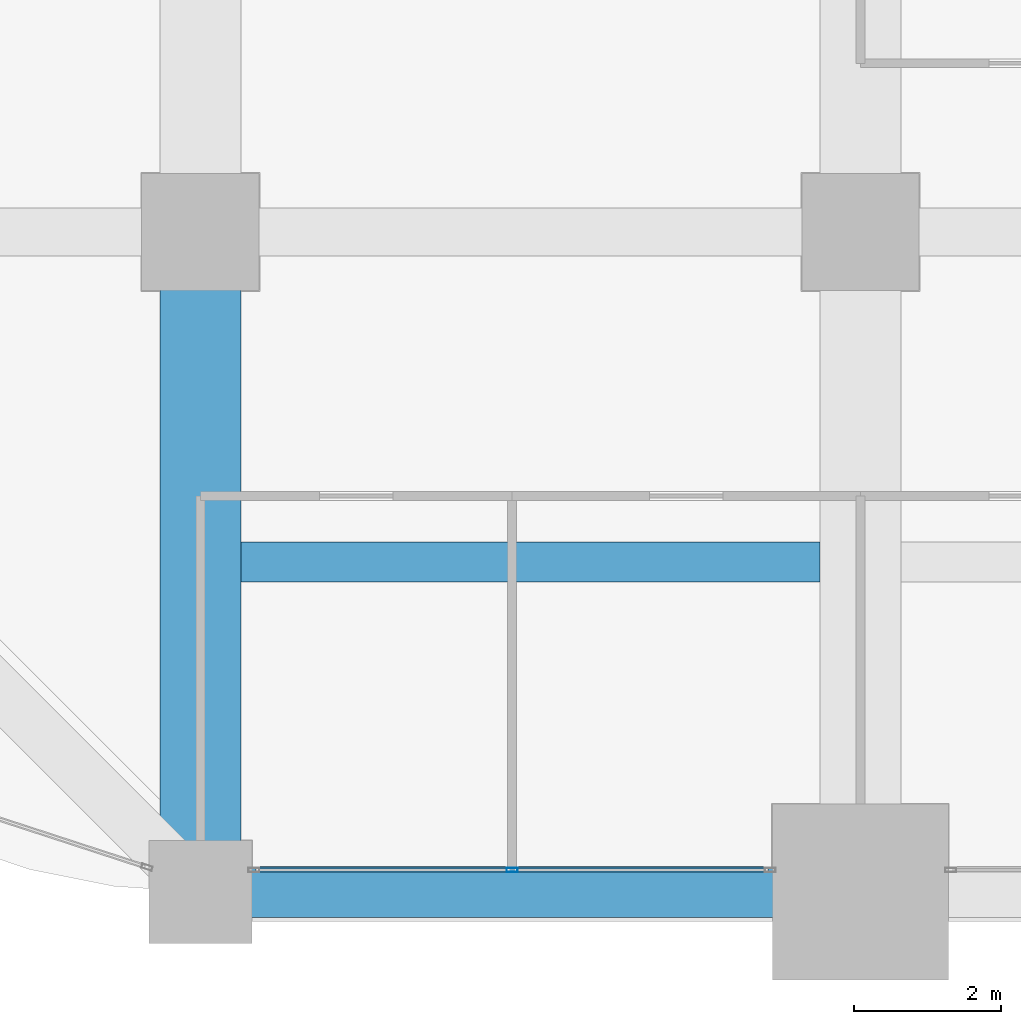
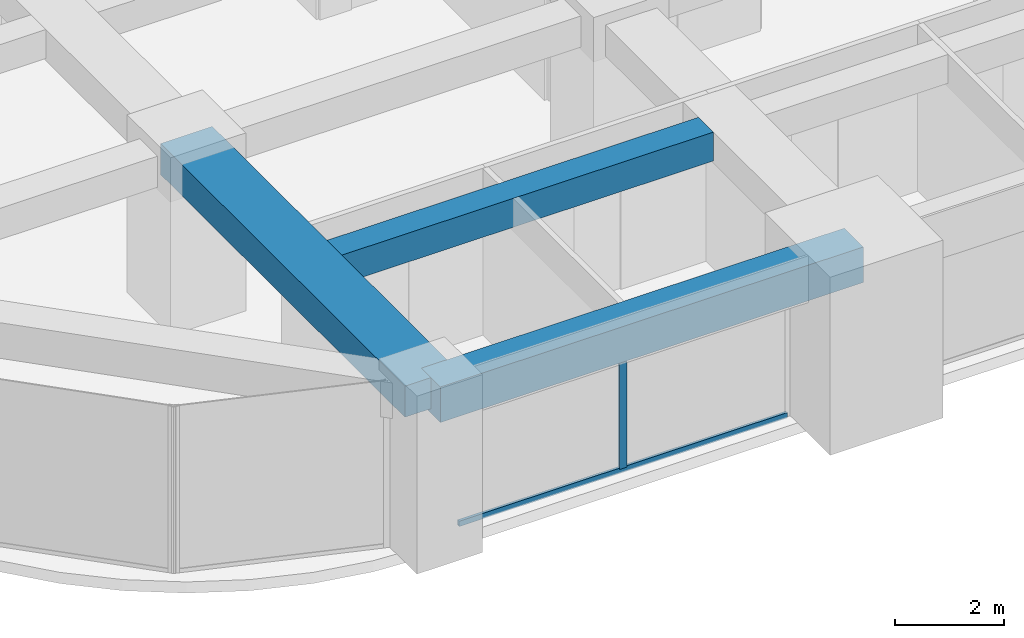
# One storey, part 3 of 33: 3 beams, 2 members, 1 element without a shape of its own.
"""IFC4 building model written with IfcOpenShell, lengths in metres."""

from ifc_helpers import new_model, si_unit, direction, frame, origin, origin_2d, place, context, subcontext, project, spatial, rectangle, hollow_rectangle, extrude, material, material_profile, profile_set, type_object, element, aggregate, save


model = new_model("IFC4")

# Units and contexts
model_context = context("Model", 3, precision=1e-05, world=origin(), true_north=direction((0.0, 1.0)))
body_context = subcontext(model_context, "Body", "Model", "MODEL_VIEW")
ifc_project = project(units=[si_unit("LENGTHUNIT", "METRE"), si_unit("AREAUNIT", "SQUARE_METRE"), si_unit("VOLUMEUNIT", "CUBIC_METRE"), si_unit("PLANEANGLEUNIT", "RADIAN"), si_unit("MASSUNIT", "GRAM", prefix="KILO")], contexts=[model_context])

# Site, building, storey
site_placement = place(None, origin())
site = spatial("IfcSite", under=ifc_project, at=site_placement, CompositionType="ELEMENT")
building_placement = place(site_placement, origin())
building = spatial("IfcBuilding", under=site, at=building_placement, Name="Zorevar Civic Tower", CompositionType="ELEMENT")
storey_placement = place(building_placement, frame((0.0, 0.0, 178.199951171875)))
storey = spatial("IfcBuildingStorey", under=building, at=storey_placement, Name="L43", CompositionType="ELEMENT", Elevation=178.199951171875)

# Beams
ifc_material_1 = material(Name="Concrete C50/60", Category="concrete")
ifc_material_profile_1 = material_profile(ifc_material_1, rectangle(XDim=1.10009765625, YDim=0.699951171875, at=origin_2d()), Name="RC 1100x700")
ifc_profile_set_1 = profile_set([ifc_material_profile_1], Name="Concrete C50/60")
beam_type_1 = type_object("IfcBeamType", Name="Beam RC 1100x700", PredefinedType="BEAM", material=ifc_profile_set_1)
beam_1_placement = place(storey_placement, frame((9.0, 0.0, 3.400146484375), z_axis=(0.0, 1.0, 0.0), x_axis=(-1.0, 0.0, 0.0)))
element("IfcBeam", 1, at=beam_1_placement, inside=storey, type_object=beam_type_1, Name="Girder L44", PredefinedType="BEAM", context=body_context, shape_type="SweptSolid", body=[
    extrude(rectangle(XDim=1.10009765625, YDim=0.699951171875, at=origin_2d()), origin(), (0.0, 0.0, 1.0), 9.0),
])
ifc_material_2 = material(Name="Concrete C50/60", Category="concrete")
ifc_material_profile_2 = material_profile(ifc_material_2, rectangle(XDim=0.550048828125, YDim=0.64990234375, at=origin_2d()), Name="RC 550x650")
ifc_profile_set_2 = profile_set([ifc_material_profile_2], Name="Concrete C50/60")
beam_type_2 = type_object("IfcBeamType", Name="Beam RC 550x650", PredefinedType="BEAM", material=ifc_profile_set_2)
beam_2_placement = place(storey_placement, frame((9.550048828125, 4.5, 3.425048828125), z_axis=(1.0, 0.0, 0.0), x_axis=(0.0, 1.0, 0.0)))
element("IfcBeam", 2, at=beam_2_placement, inside=storey, type_object=beam_type_2, Name="Secondary beam L44", PredefinedType="BEAM", context=body_context, shape_type="SweptSolid", body=[
    extrude(rectangle(XDim=0.550048828125, YDim=0.64990234375, at=origin_2d()), origin(), (0.0, 0.0, 1.0), 7.89990234375),
])

# Curtain wall, members
ifc_material_3 = material(Name="Dark grey solar-control glass in black aluminium frame", Category="aluminium")
curtain_wall_type = type_object("IfcCurtainWallType", Name="Curtain wall CW4 high zone", PredefinedType="NOTDEFINED", material=ifc_material_3)
curtain_wall_placement = place(storey_placement, origin())
curtain_wall = element("IfcCurtainWall", 3, at=curtain_wall_placement, inside=storey, type_object=curtain_wall_type, Name="CW4 L43", PredefinedType="NOTDEFINED")
ifc_material_4 = material(Name="Aluminium, black anodised", Category="aluminium")
ifc_material_profile_3 = material_profile(ifc_material_4, hollow_rectangle(XDim=0.06005859375, YDim=0.14990234375, WallThickness=0.00390625, at=origin_2d()), Name="AL 150x60x4")
ifc_profile_set_3 = profile_set([ifc_material_profile_3], Name="Aluminium, black anodised")
member_type_1 = type_object("IfcMemberType", Name="CW4 mullion AL 150x60x4", PredefinedType="MULLION", material=ifc_profile_set_3)
member_1_placement = place(storey_placement, frame((13.25, 0.300048828125, 0.06005859375), z_axis=(0.0, 0.0, 1.0), x_axis=(0.0, 1.0, 0.0)))
member_1 = element("IfcMember", 4, at=member_1_placement, type_object=member_type_1, Name="CW4 mullion 2", PredefinedType="MULLION", context=body_context, shape_type="SweptSolid", body=[
    extrude(hollow_rectangle(XDim=0.06005859375, YDim=0.14990234375, WallThickness=0.00390625, at=origin_2d()), origin(), (0.0, 0.0, 1.0), 2.889892578125),
])
ifc_material_5 = material(Name="Aluminium, black anodised", Category="aluminium")
ifc_material_profile_4 = material_profile(ifc_material_5, hollow_rectangle(XDim=0.06005859375, YDim=0.1201171875, WallThickness=0.0029296875, at=origin_2d()), Name="AL 120x60x3")
ifc_profile_set_4 = profile_set([ifc_material_profile_4], Name="Aluminium, black anodised")
member_type_2 = type_object("IfcMemberType", Name="CW4 transom AL 120x60x3", PredefinedType="USERDEFINED", material=ifc_profile_set_4)
member_2_placement = place(storey_placement, frame((9.760009765625, 0.300048828125, 0.030029296875), z_axis=(1.0, 0.0, 0.0), x_axis=(0.0, 1.0, 0.0)))
member_2 = element("IfcMember", 5, at=member_2_placement, type_object=member_type_2, Name="CW4 sill transom", ObjectType="TRANSOM", PredefinedType="USERDEFINED", context=body_context, shape_type="SweptSolid", body=[
    extrude(hollow_rectangle(XDim=0.06005859375, YDim=0.1201171875, WallThickness=0.0029296875, at=origin_2d()), origin(), (0.0, 0.0, 1.0), 6.97998046875),
])
aggregate(curtain_wall, [member_1, member_2])

# Beam
ifc_material_6 = material(Name="Concrete C50/60", Category="concrete")
ifc_material_profile_5 = material_profile(ifc_material_6, rectangle(XDim=0.699951171875, YDim=0.800048828125, at=origin_2d()), Name="RC 700x800")
ifc_profile_set_5 = profile_set([ifc_material_profile_5], Name="Concrete C50/60")
beam_type_3 = type_object("IfcBeamType", Name="Edge beam RC 700x800", PredefinedType="SPANDREL", material=ifc_profile_set_5)
beam_3_placement = place(storey_placement, frame((9.0, 0.0, 3.35009765625), z_axis=(1.0, 0.0, 0.0), x_axis=(0.0, 1.0, 0.0)))
element("IfcBeam", 6, at=beam_3_placement, inside=storey, type_object=beam_type_3, Name="Edge beam L44", PredefinedType="SPANDREL", context=body_context, shape_type="SweptSolid", body=[
    extrude(rectangle(XDim=0.699951171875, YDim=0.800048828125, at=origin_2d()), origin(), (0.0, 0.0, 1.0), 9.0),
])

save(model, "model.ifc")
